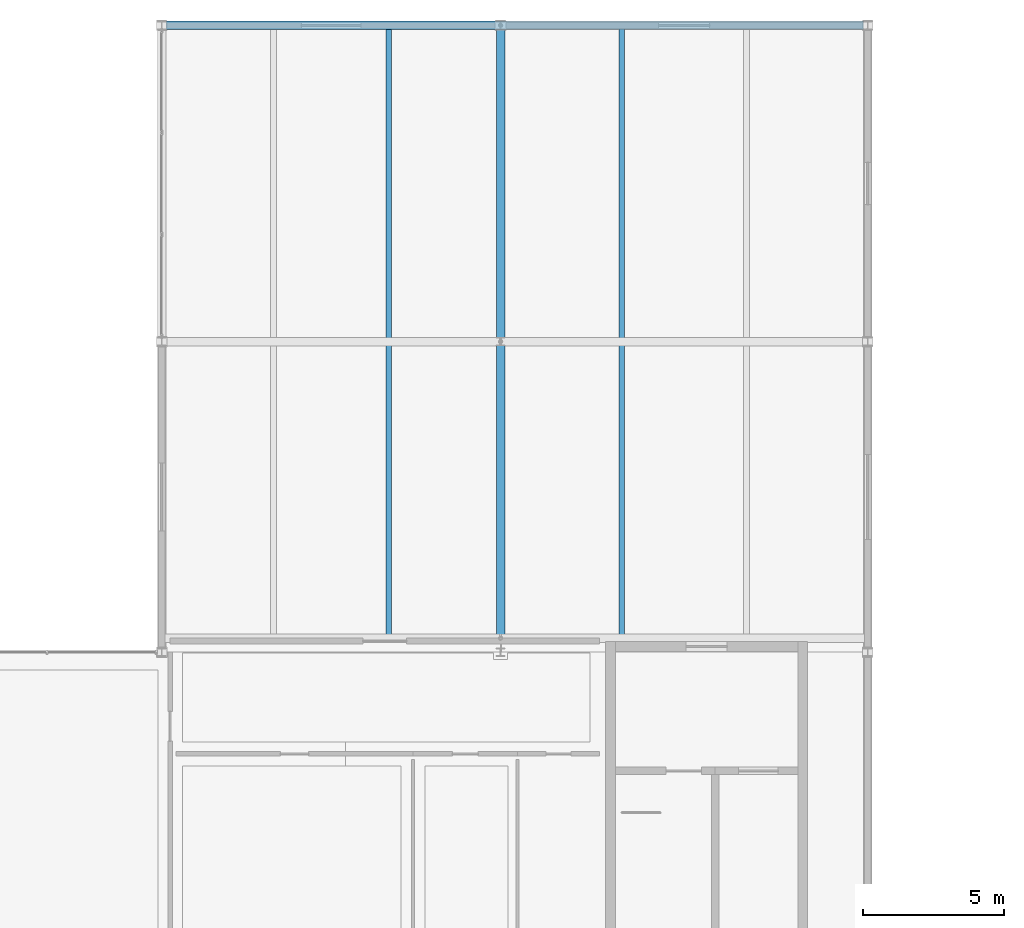
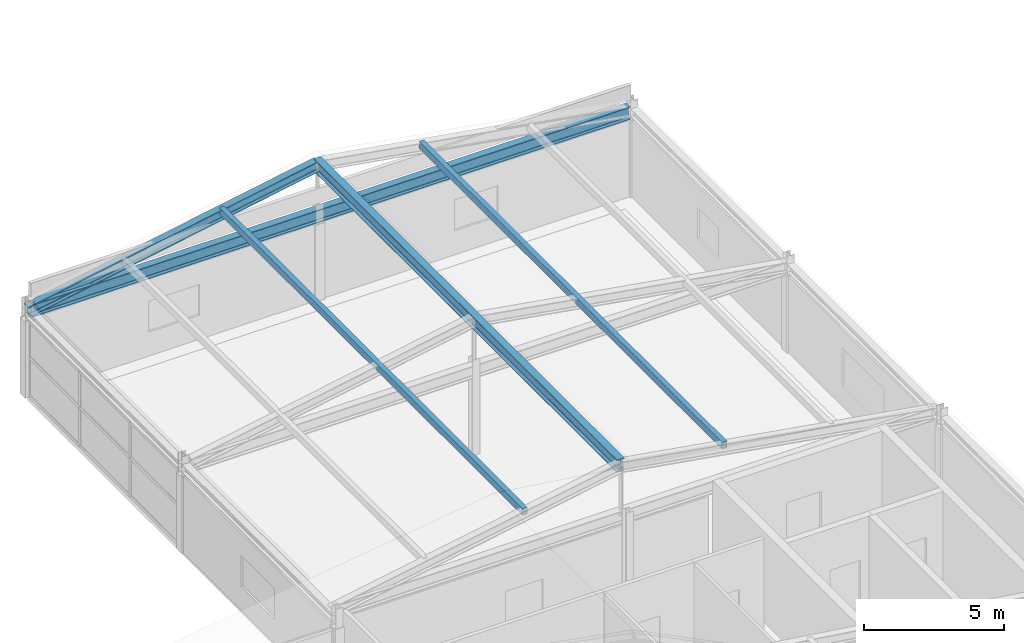
# One storey, part 26 of 63: 3 members, 2 beams.
"""IFC4 building model written with IfcOpenShell, lengths in metres."""

from ifc_helpers import new_model, si_unit, direction, frame, origin, origin_2d, place, context, subcontext, project, spatial, hollow_rectangle, i_section, extrude, material, material_profile, profile_set, type_object, element, save


model = new_model("IFC4")

# Units and contexts
model_context = context("Model", 3, precision=1e-05, world=origin(), true_north=direction((0.0, 1.0)))
body_context = subcontext(model_context, "Body", "Model", "MODEL_VIEW")
ifc_project = project(units=[si_unit("LENGTHUNIT", "METRE"), si_unit("AREAUNIT", "SQUARE_METRE"), si_unit("VOLUMEUNIT", "CUBIC_METRE"), si_unit("PLANEANGLEUNIT", "RADIAN"), si_unit("MASSUNIT", "GRAM", prefix="KILO")], contexts=[model_context])

# Site, building, storey
site_placement = place(None, origin())
site = spatial("IfcSite", under=ifc_project, at=site_placement, CompositionType="ELEMENT")
building_placement = place(site_placement, origin())
building = spatial("IfcBuilding", under=site, at=building_placement, Name="Tarnveldt Headland Concert Hall", CompositionType="ELEMENT")
storey_placement = place(building_placement, frame((0.0, 0.0, 14.39990234375)))
storey = spatial("IfcBuildingStorey", under=building, at=storey_placement, Name="L03", CompositionType="ELEMENT", Elevation=14.39990234375)

# Members
ifc_material = material(Name="Steel S355", Category="steel")
ifc_material_profile_1 = material_profile(ifc_material, hollow_rectangle(XDim=0.199951171875, YDim=0.300048828125, WallThickness=0.012451171875, at=origin_2d()), Name="RHS 300x200x12.5", Category="steel")
ifc_profile_set_1 = profile_set([ifc_material_profile_1], Name="Steel S355")
member_type_1 = type_object("IfcMemberType", Name="PR-RHS300", PredefinedType="PURLIN", material=ifc_profile_set_1)
for number, where, z_axis, x_axis, name in (
    (1, (27.5400390625, 93.5, 5.234130859375), (0.0, 1.0, 0.0), (-1.0, 0.0, 0.0), "Rehearsal roof purlin NW-67"),
    (2, (35.7900390625, 93.5, 5.234130859375), (0.0, 1.0, 0.0), (-1.0, 0.0, 0.0), "Rehearsal roof purlin NE-67"),
):
    element("IfcMember", number, at=place(storey_placement, frame(where, z_axis=z_axis, x_axis=x_axis)), inside=storey, type_object=member_type_1, Name=name, PredefinedType="PURLIN", context=body_context, shape_type="SweptSolid", body=[
        extrude(hollow_rectangle(XDim=0.199951171875, YDim=0.300048828125, WallThickness=0.012451171875, at=origin_2d()), origin(), (0.0, 0.0, 1.0), 21.699951171875),
    ])
ifc_material_profile_2 = material_profile(ifc_material, i_section(OverallWidth=0.300048828125, OverallDepth=0.449951171875, WebThickness=0.013916015625, FlangeThickness=0.02587890625, FilletRadius=0.027099609375, at=origin_2d()), Name="HEB450", Category="steel")
ifc_profile_set_2 = profile_set([ifc_material_profile_2], Name="Steel S355")
member_type_2 = type_object("IfcMemberType", Name="RF-HEB450", PredefinedType="RAFTER", material=ifc_profile_set_2)
member_placement = place(storey_placement, frame((19.5, 115.199951171875, 3.68017578125), z_axis=(0.983897122422, 0.0, 0.178735705691), x_axis=(0.0, 1.0, 0.0)))
element("IfcMember", 3, at=member_placement, inside=storey, type_object=member_type_2, Name="ROOF TRUSS Rehearsal rafter N-3W", PredefinedType="RAFTER", context=body_context, shape_type="SweptSolid", body=[
    extrude(i_section(OverallWidth=0.300048828125, OverallDepth=0.449951171875, WebThickness=0.013916015625, FlangeThickness=0.02587890625, FilletRadius=0.027099609375, at=origin_2d()), origin(), (0.0, 0.0, 1.0), 12.1962890625),
])

# Beams
ifc_material_profile_3 = material_profile(ifc_material, i_section(OverallWidth=0.300048828125, OverallDepth=0.550048828125, WebThickness=0.014892578125, FlangeThickness=0.029052734375, FilletRadius=0.027099609375, at=origin_2d()), Name="HEB550", Category="steel")
ifc_profile_set_3 = profile_set([ifc_material_profile_3], Name="Steel S355")
beam_type = type_object("IfcBeamType", Name="SB-HEB550", PredefinedType="BEAM", material=ifc_profile_set_3)
beam_1_placement = place(storey_placement, frame((31.5, 93.5, 5.860107421875), z_axis=(0.0, 1.0, 0.0), x_axis=(-1.0, 0.0, 0.0)))
element("IfcBeam", 4, at=beam_1_placement, inside=storey, type_object=beam_type, Name="Rehearsal roof ridge girder N", PredefinedType="BEAM", context=body_context, shape_type="SweptSolid", body=[
    extrude(i_section(OverallWidth=0.300048828125, OverallDepth=0.550048828125, WebThickness=0.014892578125, FlangeThickness=0.029052734375, FilletRadius=0.027099609375, at=origin_2d()), origin(), (0.0, 0.0, 1.0), 21.699951171875),
])
beam_2_placement = place(storey_placement, frame((19.64990234375, 115.199951171875, 3.68017578125), z_axis=(1.0, 0.0, 0.0), x_axis=(0.0, 1.0, 0.0)))
element("IfcBeam", 5, at=beam_2_placement, inside=storey, type_object=beam_type, Name="ROOF TRUSS bottom tie girder N-3", PredefinedType="BEAM", context=body_context, shape_type="SweptSolid", body=[
    extrude(i_section(OverallWidth=0.300048828125, OverallDepth=0.550048828125, WebThickness=0.014892578125, FlangeThickness=0.029052734375, FilletRadius=0.027099609375, at=origin_2d()), origin(), (0.0, 0.0, 1.0), 24.7001953125),
])

save(model, "model.ifc")
